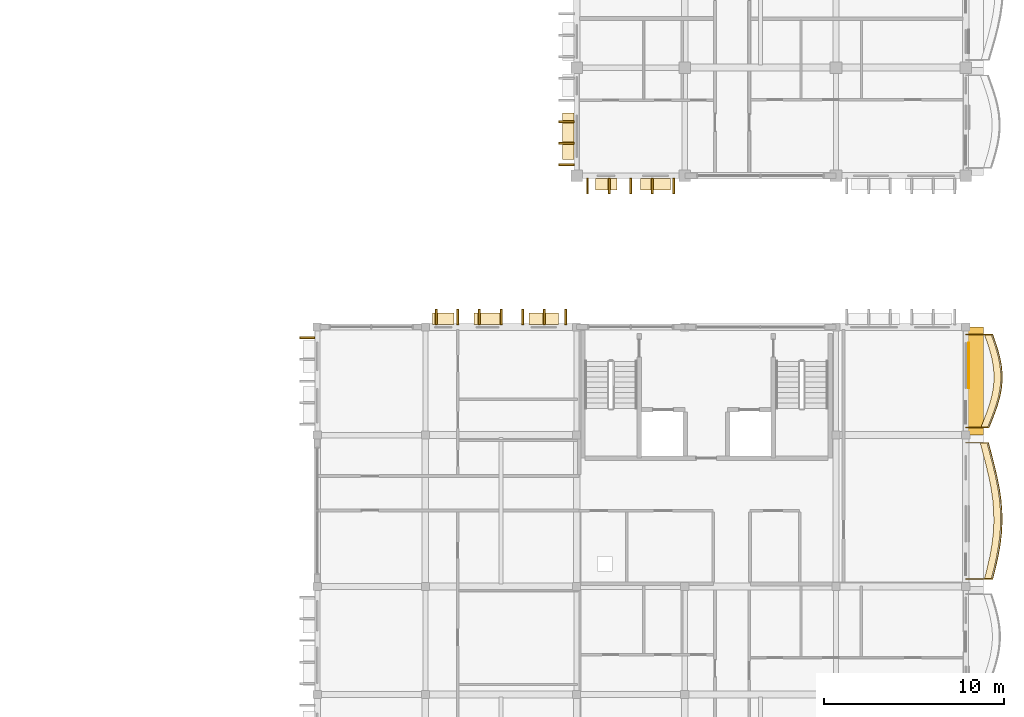
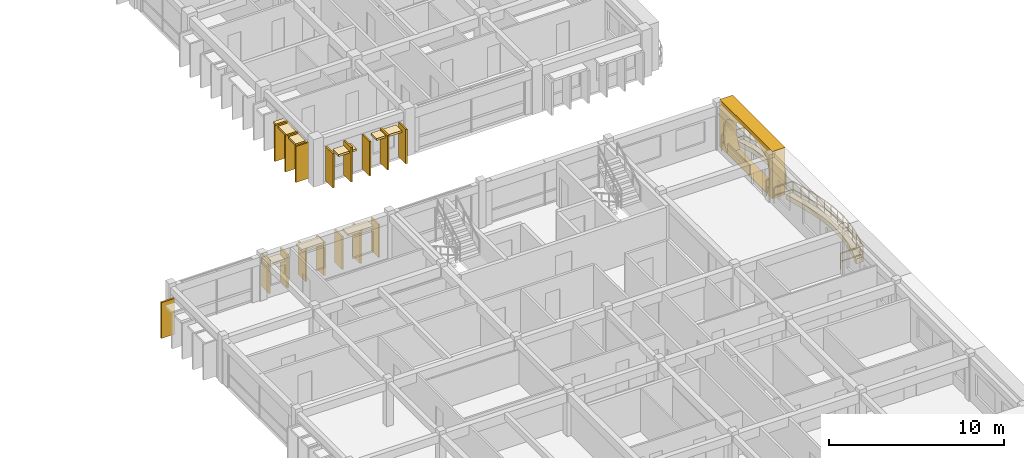
# One storey, part 70 of 76: 26 coverings, 2 railings.
"""IFC4 building model written with IfcOpenShell, lengths in metres."""

from ifc_helpers import new_model, si_unit, direction, frame, origin, origin_2d, place, context, subcontext, project, spatial, polyline, rectangle, outline, extrude, material, layer, layer_set, type_object, element, save


model = new_model("IFC4")

# Units and contexts
model_context = context("Model", 3, precision=1e-05, world=origin(), true_north=direction((0.0, 1.0)))
body_context = subcontext(model_context, "Body", "Model", "MODEL_VIEW")
ifc_project = project(units=[si_unit("LENGTHUNIT", "METRE"), si_unit("AREAUNIT", "SQUARE_METRE"), si_unit("VOLUMEUNIT", "CUBIC_METRE"), si_unit("PLANEANGLEUNIT", "RADIAN"), si_unit("MASSUNIT", "GRAM", prefix="KILO"), si_unit("THERMODYNAMICTEMPERATUREUNIT", "KELVIN")], contexts=[model_context])

# Site, building, storey
site_placement = place(None, origin())
site = spatial("IfcSite", under=ifc_project, at=site_placement, CompositionType="ELEMENT")
building_placement = place(site_placement, origin())
building = spatial("IfcBuilding", under=site, at=building_placement, Name="Thalorik Housing Commons", CompositionType="ELEMENT")
storey_placement = place(building_placement, frame((0.0, 0.0, 18.0)))
storey = spatial("IfcBuildingStorey", under=building, at=storey_placement, Name="L05", CompositionType="ELEMENT", Elevation=18.0)

# Coverings
ifc_material_1 = material(Name="Precast concrete C40/50", Category="concrete")
ifc_layer_1 = layer(ifc_material_1, 0.85009765625, Name="Precast concrete C40/50", Category="concrete")
ifc_layer_set_1 = layer_set([ifc_layer_1], Name="Precast concrete C40/50")
covering_type_1 = type_object("IfcCoveringType", Name="ARC-CLD-CUSH-850", PredefinedType="CLADDING", material=ifc_layer_set_1)
covering_1_placement = place(storey_placement, frame((174.554931640625, 69.0, 0.0), z_axis=(0.0, 0.0, 1.0), x_axis=(0.0, 1.0, 0.0)))
element("IfcCovering", 1, at=covering_1_placement, inside=storey, type_object=covering_type_1, Name="L05 White Precast Curved Cushion Bay Frame 4901", PredefinedType="CLADDING", context=body_context, shape_type="SweptSolid", body=[
    extrude(outline(polyline([(-3.0, 0.0), (3.0, 0.0), (3.0, 3.300048828125), (-3.0, 3.300048828125), (-3.0, 0.0)]), holes=[polyline([(2.1650390625, 0.02490234375), (2.37890625, 0.42431640625), (2.507080078125, 0.8232421875), (2.550048828125, 1.222412109375), (2.507080078125, 1.62158203125), (2.37890625, 2.020751953125), (2.1650390625, 2.419921875), (1.781982421875, 2.608642578125), (1.399169921875, 2.7568359375), (1.016357421875, 2.876953125), (0.63330078125, 2.96630859375), (0.25048828125, 3.021484375), (-0.132568359375, 3.0400390625), (-0.515380859375, 3.021484375), (-0.898193359375, 2.96630859375), (-1.28125, 2.876953125), (-1.664306640625, 2.7568359375), (-2.047119140625, 2.608642578125), (-2.429931640625, 2.419921875), (-2.55029296875, 2.020751953125), (-2.62255859375, 1.62158203125), (-2.646484375, 1.222412109375), (-2.62255859375, 0.8232421875), (-2.55029296875, 0.42431640625), (-2.429931640625, 0.02490234375), (2.1650390625, 0.02490234375)])]), frame((0.0, 0.425048828125, 0.0), z_axis=(0.0, -1.0, 0.0), x_axis=(1.0, 0.0, 0.0)), (0.0, 0.0, 1.0), 0.85009765625),
])
ifc_layer_2 = layer(ifc_material_1, 0.85009765625, Name="Precast concrete C40/50", Category="concrete")
ifc_layer_set_2 = layer_set([ifc_layer_2], Name="Precast concrete C40/50")
covering_type_2 = type_object("IfcCoveringType", Name="ARC-CLD-FIN-850", PredefinedType="CLADDING", material=ifc_layer_set_2)
for number, where, z_axis, x_axis, name in (
    (2, (151.830078125, 83.39990234375, 0.0400390625), (0.0, 0.0, 1.0), (0.0, -1.0, 0.0), "L05 Courtyard Precast Vertical Brise-Soleil Fin 2334"),
    (3, (151.830078125, 82.199951171875, 0.0400390625), (0.0, 0.0, 1.0), (0.0, -1.0, 0.0), "L05 Courtyard Precast Vertical Brise-Soleil Fin 2335"),
    (4, (151.830078125, 81.0, 0.0400390625), (0.0, 0.0, 1.0), (0.0, -1.0, 0.0), "L05 Courtyard Precast Vertical Brise-Soleil Fin 2336"),
):
    element("IfcCovering", number, at=place(storey_placement, frame(where, z_axis=z_axis, x_axis=x_axis)), inside=storey, type_object=covering_type_2, Name=name, PredefinedType="CLADDING", context=body_context, shape_type="SweptSolid", body=[
        extrude(rectangle(XDim=0.110107421875, YDim=0.85009765625, at=origin_2d()), origin(), (0.0, 0.0, 1.0), 2.4951171875),
    ])
for number, where, z_axis, x_axis, name in (
    (5, (153.0, 79.830078125, 0.0400390625), (0.0, 0.0, 1.0), (1.0, 0.0, 0.0), "L05 Courtyard Precast Vertical Brise-Soleil Fin 2339"),
    (6, (154.199951171875, 79.830078125, 0.0400390625), (0.0, 0.0, 1.0), (1.0, 0.0, 0.0), "L05 Courtyard Precast Vertical Brise-Soleil Fin 2340"),
    (7, (155.39990234375, 79.830078125, 0.0400390625), (0.0, 0.0, 1.0), (1.0, 0.0, 0.0), "L05 Courtyard Precast Vertical Brise-Soleil Fin 2341"),
    (8, (156.60009765625, 79.830078125, 0.0400390625), (0.0, 0.0, 1.0), (1.0, 0.0, 0.0), "L05 Courtyard Precast Vertical Brise-Soleil Fin 2342"),
    (9, (157.800048828125, 79.830078125, 0.0400390625), (0.0, 0.0, 1.0), (1.0, 0.0, 0.0), "L05 Courtyard Precast Vertical Brise-Soleil Fin 2343"),
):
    element("IfcCovering", number, at=place(storey_placement, frame(where, z_axis=z_axis, x_axis=x_axis)), inside=storey, type_object=covering_type_2, Name=name, PredefinedType="CLADDING", context=body_context, shape_type="SweptSolid", body=[
        extrude(rectangle(XDim=0.110107421875, YDim=0.85009765625, at=origin_2d()), origin(), (0.0, 0.0, 1.0), 2.39501953125),
    ])
for number, where, z_axis, x_axis, name in (
    (10, (151.800048828125, 72.554931640625, 0.0400390625), (0.0, 0.0, 1.0), (-1.0, 0.0, 0.0), "L05 Courtyard Precast Vertical Brise-Soleil Fin 4843"),
    (11, (150.60009765625, 72.554931640625, 0.0400390625), (0.0, 0.0, 1.0), (-1.0, 0.0, 0.0), "L05 Courtyard Precast Vertical Brise-Soleil Fin 4844"),
    (12, (149.39990234375, 72.554931640625, 0.0400390625), (0.0, 0.0, 1.0), (-1.0, 0.0, 0.0), "L05 Courtyard Precast Vertical Brise-Soleil Fin 4845"),
    (13, (148.199951171875, 72.554931640625, 0.0400390625), (0.0, 0.0, 1.0), (-1.0, 0.0, 0.0), "L05 Courtyard Precast Vertical Brise-Soleil Fin 4846"),
    (14, (147.0, 72.554931640625, 0.0400390625), (0.0, 0.0, 1.0), (-1.0, 0.0, 0.0), "L05 Courtyard Precast Vertical Brise-Soleil Fin 4847"),
    (15, (145.800048828125, 72.554931640625, 0.0400390625), (0.0, 0.0, 1.0), (-1.0, 0.0, 0.0), "L05 Courtyard Precast Vertical Brise-Soleil Fin 4848"),
    (16, (144.60009765625, 72.554931640625, 0.0400390625), (0.0, 0.0, 1.0), (-1.0, 0.0, 0.0), "L05 Courtyard Precast Vertical Brise-Soleil Fin 4849"),
):
    element("IfcCovering", number, at=place(storey_placement, frame(where, z_axis=z_axis, x_axis=x_axis)), inside=storey, type_object=covering_type_2, Name=name, PredefinedType="CLADDING", context=body_context, shape_type="SweptSolid", body=[
        extrude(rectangle(XDim=0.110107421875, YDim=0.85009765625, at=origin_2d()), origin(), (0.0, 0.0, 1.0), 2.294921875),
    ])
covering_2_placement = place(storey_placement, frame((137.445068359375, 71.39990234375, 0.0400390625), z_axis=(0.0, 0.0, 1.0), x_axis=(0.0, -1.0, 0.0)))
element("IfcCovering", 17, at=covering_2_placement, inside=storey, type_object=covering_type_2, Name="L05 Courtyard Precast Vertical Brise-Soleil Fin 4853", PredefinedType="CLADDING", context=body_context, shape_type="SweptSolid", body=[
    extrude(rectangle(XDim=0.110107421875, YDim=0.85009765625, at=origin_2d()), origin(), (0.0, 0.0, 1.0), 2.4951171875),
])
ifc_layer_3 = layer(ifc_material_1, 0.64990234375, Name="Precast concrete C40/50", Category="concrete")
ifc_layer_set_3 = layer_set([ifc_layer_3], Name="Precast concrete C40/50")
covering_type_3 = type_object("IfcCoveringType", Name="ARC-CLD-HOOD-650", PredefinedType="CLADDING", material=ifc_layer_set_3)
covering_3_placement = place(storey_placement, frame((151.929931640625, 82.590087890625, 2.2900390625), z_axis=(0.0, 0.0, 1.0), x_axis=(0.0, -1.0, 0.0)))
element("IfcCovering", 18, at=covering_3_placement, inside=storey, type_object=covering_type_3, Name="L05 Courtyard Precast Window Sun-Hood 2338", PredefinedType="CLADDING", context=body_context, shape_type="SweptSolid", body=[
    extrude(rectangle(XDim=2.56005859375, YDim=0.64990234375, at=origin_2d()), origin(), (0.0, 0.0, 1.0), 0.139892578125),
])
covering_4_placement = place(storey_placement, frame((154.030029296875, 79.929931640625, 1.93994140625), z_axis=(0.0, 0.0, 1.0), x_axis=(1.0, 0.0, 0.0)))
element("IfcCovering", 19, at=covering_4_placement, inside=storey, type_object=covering_type_3, Name="L05 Courtyard Precast Window Sun-Hood 2344", PredefinedType="CLADDING", context=body_context, shape_type="SweptSolid", body=[
    extrude(rectangle(XDim=1.18994140625, YDim=0.64990234375, at=origin_2d()), origin(), (0.0, 0.0, 1.0), 0.139892578125),
])
covering_5_placement = place(storey_placement, frame((156.77001953125, 79.929931640625, 2.169921875), z_axis=(0.0, 0.0, 1.0), x_axis=(1.0, 0.0, 0.0)))
element("IfcCovering", 20, at=covering_5_placement, inside=storey, type_object=covering_type_3, Name="L05 Courtyard Precast Window Sun-Hood 2345", PredefinedType="CLADDING", context=body_context, shape_type="SweptSolid", body=[
    extrude(rectangle(XDim=1.659912109375, YDim=0.64990234375, at=origin_2d()), origin(), (0.0, 0.0, 1.0), 0.139892578125),
])
covering_6_placement = place(storey_placement, frame((150.5751953125, 72.455078125, 2.22509765625), z_axis=(0.0, 0.0, 1.0), x_axis=(-1.0, 0.0, 0.0)))
element("IfcCovering", 21, at=covering_6_placement, inside=storey, type_object=covering_type_3, Name="L05 Courtyard Precast Window Sun-Hood 4850", PredefinedType="CLADDING", context=body_context, shape_type="SweptSolid", body=[
    extrude(rectangle(XDim=1.639892578125, YDim=0.64990234375, at=origin_2d()), origin(), (0.0, 0.0, 1.0), 0.139892578125),
])
covering_7_placement = place(storey_placement, frame((147.4453125, 72.455078125, 2.22509765625), z_axis=(0.0, 0.0, 1.0), x_axis=(-1.0, 0.0, 0.0)))
element("IfcCovering", 22, at=covering_7_placement, inside=storey, type_object=covering_type_3, Name="L05 Courtyard Precast Window Sun-Hood 4851", PredefinedType="CLADDING", context=body_context, shape_type="SweptSolid", body=[
    extrude(rectangle(XDim=1.489990234375, YDim=0.64990234375, at=origin_2d()), origin(), (0.0, 0.0, 1.0), 0.139892578125),
])
covering_8_placement = place(storey_placement, frame((145.000244140625, 72.455078125, 1.93994140625), z_axis=(0.0, 0.0, 1.0), x_axis=(-1.0, 0.0, 0.0)))
element("IfcCovering", 23, at=covering_8_placement, inside=storey, type_object=covering_type_3, Name="L05 Courtyard Precast Window Sun-Hood 4852", PredefinedType="CLADDING", context=body_context, shape_type="SweptSolid", body=[
    extrude(rectangle(XDim=1.18994140625, YDim=0.64990234375, at=origin_2d()), origin(), (0.0, 0.0, 1.0), 0.139892578125),
])
ifc_material_2 = material(Name="Terracotta red mineral fibre-cement panel", Category="masonry")
ifc_layer_4 = layer(ifc_material_2, 0.054931640625, Name="Terracotta red mineral fibre-cement panel", Category="masonry")
ifc_layer_set_4 = layer_set([ifc_layer_4], Name="Terracotta red mineral fibre-cement panel")
covering_type_4 = type_object("IfcCoveringType", Name="ARC-CLD-RED-55", PredefinedType="CLADDING", material=ifc_layer_set_4)
covering_9_placement = place(storey_placement, frame((174.16259765625, 69.864990234375, 0.0498046875), z_axis=(0.0, 0.0, 1.0), x_axis=(0.0, 1.0, 0.0)))
element("IfcCovering", 24, at=covering_9_placement, inside=storey, type_object=covering_type_4, Name="L05 De Stijl Recessed Window Spandrel 4902", PredefinedType="CLADDING", context=body_context, shape_type="SweptSolid", body=[
    extrude(rectangle(XDim=2.5, YDim=0.054931640625, at=origin_2d()), origin(), (0.0, 0.0, 1.0), 0.699951171875),
])
ifc_material_3 = material(Name="Planted vegetated substrate and terracotta trough", Category="masonry")
ifc_layer_5 = layer(ifc_material_3, 0.340087890625, Name="Planted vegetated substrate and terracotta trough", Category="masonry")
ifc_layer_set_5 = layer_set([ifc_layer_5], Name="Planted vegetated substrate and terracotta trough")
covering_type_5 = type_object("IfcCoveringType", Name="ARC-COV-PLANTER", PredefinedType="USERDEFINED", material=ifc_layer_set_5)
covering_10_placement = place(storey_placement, origin())
element("IfcCovering", 25, at=covering_10_placement, inside=storey, type_object=covering_type_5, Name="L05 Balcony Slab-Edge Planted Trough 5678", ObjectType="PLANTER", PredefinedType="USERDEFINED", context=body_context, shape_type="SweptSolid", body=[
    extrude(outline(polyline([(175.415283203125, 58.02001953125), (175.576171875, 58.64990234375), (175.71728515625, 59.280029296875), (175.828857421875, 59.909912109375), (175.90380859375, 60.5400390625), (175.93701171875, 61.169921875), (175.926513671875, 61.800048828125), (175.873046875, 62.429931640625), (175.780517578125, 63.06005859375), (175.65576171875, 63.68994140625), (175.5068359375, 64.320068359375), (175.3447265625, 64.949951171875), (175.18017578125, 65.580078125), (174.80029296875, 65.580078125), (174.964599609375, 64.949951171875), (175.126953125, 64.320068359375), (175.275634765625, 63.68994140625), (175.400634765625, 63.06005859375), (175.4931640625, 62.429931640625), (175.54638671875, 61.800048828125), (175.55712890625, 61.169921875), (175.52392578125, 60.5400390625), (175.448974609375, 59.909912109375), (175.337158203125, 59.280029296875), (175.196044921875, 58.64990234375), (175.035400390625, 58.02001953125), (175.415283203125, 58.02001953125)])), origin(), (0.0, 0.0, 1.0), 0.340087890625),
])
covering_11_placement = place(storey_placement, origin())
element("IfcCovering", 26, at=covering_11_placement, inside=storey, type_object=covering_type_5, Name="L05 Balcony Slab-Edge Planted Trough 5679", ObjectType="PLANTER", PredefinedType="USERDEFINED", context=body_context, shape_type="SweptSolid", body=[
    extrude(outline(polyline([(175.20849609375, 66.419921875), (175.3828125, 66.85009765625), (175.549072265625, 67.280029296875), (175.696533203125, 67.7099609375), (175.8154296875, 68.139892578125), (175.89892578125, 68.570068359375), (175.94189453125, 69.0), (175.94189453125, 69.429931640625), (175.89990234375, 69.860107421875), (175.819091796875, 70.2900390625), (175.705810546875, 70.719970703125), (175.568359375, 71.14990234375), (175.416015625, 71.580078125), (175.035888671875, 71.580078125), (175.188232421875, 71.14990234375), (175.325927734375, 70.719970703125), (175.439208984375, 70.2900390625), (175.519775390625, 69.860107421875), (175.561767578125, 69.429931640625), (175.561767578125, 69.0), (175.51904296875, 68.570068359375), (175.435546875, 68.139892578125), (175.31640625, 67.7099609375), (175.169189453125, 67.280029296875), (175.0029296875, 66.85009765625), (174.82861328125, 66.419921875), (175.20849609375, 66.419921875)])), origin(), (0.0, 0.0, 1.0), 0.340087890625),
])

# Railings
ifc_material_4 = material(Name="Steel S355", Category="steel")
railing_type_1 = type_object("IfcRailingType", Name="ARC-RL-BAL-112", PredefinedType="BALUSTRADE", material=ifc_material_4)
railing_1_placement = place(storey_placement, frame((174.0, 58.02001953125, 0.0)))
element("IfcRailing", 27, at=railing_1_placement, inside=storey, type_object=railing_type_1, Name="L05 Cushion Balcony Guardrail 362", PredefinedType="BALUSTRADE", context=body_context, shape_type="SweptSolid", body=[
    extrude(rectangle(XDim=0.050048828125, YDim=0.050048828125, at=origin_2d()), frame((0.0, 0.0, 1.09521484375), z_axis=(1.0, 0.0, 0.0), x_axis=(0.0, 1.0, 0.0)), (0.0, 0.0, 1.0), 1.4853515625),
    extrude(rectangle(XDim=0.050048828125, YDim=0.050048828125, at=origin_2d()), frame((0.0, 0.0, 0.53515625), z_axis=(1.0, 0.0, 0.0), x_axis=(0.0, 1.0, 0.0)), (0.0, 0.0, 1.0), 1.4853515625),
    extrude(rectangle(XDim=0.050048828125, YDim=0.050048828125, at=origin_2d()), frame((1.4853515625, 0.0, 1.09521484375), z_axis=(0.247128171494, 0.968982800082, 0.0), x_axis=(-0.968982800082, 0.247128171494, 0.0)), (0.0, 0.0, 1.0), 0.650146484375),
    extrude(rectangle(XDim=0.050048828125, YDim=0.050048828125, at=origin_2d()), frame((1.4853515625, 0.0, 0.53515625), z_axis=(0.247128171494, 0.968982800082, 0.0), x_axis=(-0.968982800082, 0.247128171494, 0.0)), (0.0, 0.0, 1.0), 0.650146484375),
    extrude(rectangle(XDim=0.050048828125, YDim=0.050048828125, at=origin_2d()), frame((1.64599609375, 0.6298828125, 1.09521484375), z_axis=(0.218531454868, 0.975829904867, 0.0), x_axis=(-0.975829904867, 0.218531454868, 0.0)), (0.0, 0.0, 1.0), 0.645751953125),
    extrude(rectangle(XDim=0.050048828125, YDim=0.050048828125, at=origin_2d()), frame((1.64599609375, 0.6298828125, 0.53515625), z_axis=(0.218531454868, 0.975829904867, 0.0), x_axis=(-0.975829904867, 0.218531454868, 0.0)), (0.0, 0.0, 1.0), 0.645751953125),
    extrude(rectangle(XDim=0.050048828125, YDim=0.050048828125, at=origin_2d()), frame((1.787109375, 1.260009765625, 1.09521484375), z_axis=(0.174786703576, 0.984606321457, 0.0), x_axis=(-0.984606321457, 0.174786703576, 0.0)), (0.0, 0.0, 1.0), 0.6396484375),
    extrude(rectangle(XDim=0.050048828125, YDim=0.050048828125, at=origin_2d()), frame((1.787109375, 1.260009765625, 0.53515625), z_axis=(0.174786703576, 0.984606321457, 0.0), x_axis=(-0.984606321457, 0.174786703576, 0.0)), (0.0, 0.0, 1.0), 0.6396484375),
    extrude(rectangle(XDim=0.050048828125, YDim=0.050048828125, at=origin_2d()), frame((1.89892578125, 1.889892578125, 1.09521484375), z_axis=(0.118113533463, 0.993000097287, 0.0), x_axis=(-0.993000097287, 0.118113533463, 0.0)), (0.0, 0.0, 1.0), 0.634521484375),
    extrude(rectangle(XDim=0.050048828125, YDim=0.050048828125, at=origin_2d()), frame((1.89892578125, 1.889892578125, 0.53515625), z_axis=(0.118113533463, 0.993000097287, 0.0), x_axis=(-0.993000097287, 0.118113533463, 0.0)), (0.0, 0.0, 1.0), 0.634521484375),
    extrude(rectangle(XDim=0.050048828125, YDim=0.050048828125, at=origin_2d()), frame((1.973876953125, 2.52001953125, 1.09521484375), z_axis=(0.052640094062, 0.998613549126, 0.0), x_axis=(-0.998613549126, 0.052640094062, 0.0)), (0.0, 0.0, 1.0), 0.630859375),
    extrude(rectangle(XDim=0.050048828125, YDim=0.050048828125, at=origin_2d()), frame((1.973876953125, 2.52001953125, 0.53515625), z_axis=(0.052640094062, 0.998613549126, 0.0), x_axis=(-0.998613549126, 0.052640094062, 0.0)), (0.0, 0.0, 1.0), 0.630859375),
    extrude(rectangle(XDim=0.050048828125, YDim=0.050048828125, at=origin_2d()), frame((2.007080078125, 3.14990234375, 1.09521484375), z_axis=(-0.016657897577, 0.999861247598, 0.0), x_axis=(-0.999861247598, -0.016657897577, 0.0)), (0.0, 0.0, 1.0), 0.630126953125),
    extrude(rectangle(XDim=0.050048828125, YDim=0.050048828125, at=origin_2d()), frame((2.007080078125, 3.14990234375, 0.53515625), z_axis=(-0.016657897577, 0.999861247598, 0.0), x_axis=(-0.999861247598, -0.016657897577, 0.0)), (0.0, 0.0, 1.0), 0.630126953125),
    extrude(rectangle(XDim=0.050048828125, YDim=0.050048828125, at=origin_2d()), frame((1.99658203125, 3.780029296875, 1.09521484375), z_axis=(-0.084579559566, 0.996416729137, 0.0), x_axis=(-0.996416729137, -0.084579559566, 0.0)), (0.0, 0.0, 1.0), 0.632080078125),
    extrude(rectangle(XDim=0.050048828125, YDim=0.050048828125, at=origin_2d()), frame((1.99658203125, 3.780029296875, 0.53515625), z_axis=(-0.084579559566, 0.996416729137, 0.0), x_axis=(-0.996416729137, -0.084579559566, 0.0)), (0.0, 0.0, 1.0), 0.632080078125),
    extrude(rectangle(XDim=0.050048828125, YDim=0.050048828125, at=origin_2d()), frame((1.943115234375, 4.409912109375, 1.09521484375), z_axis=(-0.145284304764, 0.989389948801, 0.0), x_axis=(-0.989389948801, -0.145284304764, 0.0)), (0.0, 0.0, 1.0), 0.636962890625),
    extrude(rectangle(XDim=0.050048828125, YDim=0.050048828125, at=origin_2d()), frame((1.943115234375, 4.409912109375, 0.53515625), z_axis=(-0.145284304764, 0.989389948801, 0.0), x_axis=(-0.989389948801, -0.145284304764, 0.0)), (0.0, 0.0, 1.0), 0.636962890625),
    extrude(rectangle(XDim=0.050048828125, YDim=0.050048828125, at=origin_2d()), frame((1.8505859375, 5.0400390625, 1.09521484375), z_axis=(-0.194653674939, 0.980872033872, 0.0), x_axis=(-0.980872033872, -0.194653674939, 0.0)), (0.0, 0.0, 1.0), 0.64208984375),
    extrude(rectangle(XDim=0.050048828125, YDim=0.050048828125, at=origin_2d()), frame((1.8505859375, 5.0400390625, 0.53515625), z_axis=(-0.194653674939, 0.980872033872, 0.0), x_axis=(-0.980872033872, -0.194653674939, 0.0)), (0.0, 0.0, 1.0), 0.64208984375),
    extrude(rectangle(XDim=0.050048828125, YDim=0.050048828125, at=origin_2d()), frame((1.7255859375, 5.669921875, 1.09521484375), z_axis=(-0.2296488173, 0.973273559033, 0.0), x_axis=(-0.973273559033, -0.2296488173, 0.0)), (0.0, 0.0, 1.0), 0.6474609375),
    extrude(rectangle(XDim=0.050048828125, YDim=0.050048828125, at=origin_2d()), frame((1.7255859375, 5.669921875, 0.53515625), z_axis=(-0.2296488173, 0.973273559033, 0.0), x_axis=(-0.973273559033, -0.2296488173, 0.0)), (0.0, 0.0, 1.0), 0.6474609375),
    extrude(rectangle(XDim=0.050048828125, YDim=0.050048828125, at=origin_2d()), frame((1.576904296875, 6.300048828125, 1.09521484375), z_axis=(-0.24924222537, 0.968441176888, 0.0), x_axis=(-0.968441176888, -0.24924222537, 0.0)), (0.0, 0.0, 1.0), 0.650390625),
    extrude(rectangle(XDim=0.050048828125, YDim=0.050048828125, at=origin_2d()), frame((1.576904296875, 6.300048828125, 0.53515625), z_axis=(-0.24924222537, 0.968441176888, 0.0), x_axis=(-0.968441176888, -0.24924222537, 0.0)), (0.0, 0.0, 1.0), 0.650390625),
    extrude(rectangle(XDim=0.050048828125, YDim=0.050048828125, at=origin_2d()), frame((1.414794921875, 6.929931640625, 1.09521484375), z_axis=(-0.252666055778, 0.967553545938, 0.0), x_axis=(-0.967553545938, -0.252666055778, 0.0)), (0.0, 0.0, 1.0), 0.6513671875),
    extrude(rectangle(XDim=0.050048828125, YDim=0.050048828125, at=origin_2d()), frame((1.414794921875, 6.929931640625, 0.53515625), z_axis=(-0.252666055778, 0.967553545938, 0.0), x_axis=(-0.967553545938, -0.252666055778, 0.0)), (0.0, 0.0, 1.0), 0.6513671875),
    extrude(rectangle(XDim=0.050048828125, YDim=0.050048828125, at=origin_2d()), frame((1.250244140625, 7.56005859375, 1.09521484375), z_axis=(-1.0, 0.0, 0.0), x_axis=(0.0, -1.0, 0.0)), (0.0, 0.0, 1.0), 1.250244140625),
    extrude(rectangle(XDim=0.050048828125, YDim=0.050048828125, at=origin_2d()), frame((1.250244140625, 7.56005859375, 0.53515625), z_axis=(-1.0, 0.0, 0.0), x_axis=(0.0, -1.0, 0.0)), (0.0, 0.0, 1.0), 1.250244140625),
    extrude(rectangle(XDim=0.0419921875, YDim=0.0419921875, at=origin_2d()), origin(), (0.0, 0.0, 1.0), 1.070068359375),
    extrude(rectangle(XDim=0.0419921875, YDim=0.0419921875, at=origin_2d()), frame((1.4853515625, 0.0, 0.0)), (0.0, 0.0, 1.0), 1.070068359375),
    extrude(rectangle(XDim=0.0419921875, YDim=0.0419921875, at=origin_2d()), frame((1.64599609375, 0.6298828125, 0.0)), (0.0, 0.0, 1.0), 1.070068359375),
    extrude(rectangle(XDim=0.0419921875, YDim=0.0419921875, at=origin_2d()), frame((1.787109375, 1.260009765625, 0.0)), (0.0, 0.0, 1.0), 1.070068359375),
    extrude(rectangle(XDim=0.0419921875, YDim=0.0419921875, at=origin_2d()), frame((1.89892578125, 1.889892578125, 0.0)), (0.0, 0.0, 1.0), 1.070068359375),
    extrude(rectangle(XDim=0.0419921875, YDim=0.0419921875, at=origin_2d()), frame((1.973876953125, 2.52001953125, 0.0)), (0.0, 0.0, 1.0), 1.070068359375),
    extrude(rectangle(XDim=0.0419921875, YDim=0.0419921875, at=origin_2d()), frame((2.007080078125, 3.14990234375, 0.0)), (0.0, 0.0, 1.0), 1.070068359375),
    extrude(rectangle(XDim=0.0419921875, YDim=0.0419921875, at=origin_2d()), frame((1.99658203125, 3.780029296875, 0.0)), (0.0, 0.0, 1.0), 1.070068359375),
    extrude(rectangle(XDim=0.0419921875, YDim=0.0419921875, at=origin_2d()), frame((1.943115234375, 4.409912109375, 0.0)), (0.0, 0.0, 1.0), 1.070068359375),
    extrude(rectangle(XDim=0.0419921875, YDim=0.0419921875, at=origin_2d()), frame((1.8505859375, 5.0400390625, 0.0)), (0.0, 0.0, 1.0), 1.070068359375),
    extrude(rectangle(XDim=0.0419921875, YDim=0.0419921875, at=origin_2d()), frame((1.7255859375, 5.669921875, 0.0)), (0.0, 0.0, 1.0), 1.070068359375),
    extrude(rectangle(XDim=0.0419921875, YDim=0.0419921875, at=origin_2d()), frame((1.576904296875, 6.300048828125, 0.0)), (0.0, 0.0, 1.0), 1.070068359375),
    extrude(rectangle(XDim=0.0419921875, YDim=0.0419921875, at=origin_2d()), frame((1.414794921875, 6.929931640625, 0.0)), (0.0, 0.0, 1.0), 1.070068359375),
    extrude(rectangle(XDim=0.0419921875, YDim=0.0419921875, at=origin_2d()), frame((1.250244140625, 7.56005859375, 0.0)), (0.0, 0.0, 1.0), 1.070068359375),
    extrude(rectangle(XDim=0.0419921875, YDim=0.0419921875, at=origin_2d()), frame((0.0, 7.56005859375, 0.0)), (0.0, 0.0, 1.0), 1.070068359375),
])
railing_type_2 = type_object("IfcRailingType", Name="ARC-RL-BAL-115", PredefinedType="BALUSTRADE", material=ifc_material_4)
railing_2_placement = place(storey_placement, frame((174.0, 66.419921875, 0.0)))
element("IfcRailing", 28, at=railing_2_placement, inside=storey, type_object=railing_type_2, Name="L05 Cushion Balcony Guardrail 363", PredefinedType="BALUSTRADE", context=body_context, shape_type="SweptSolid", body=[
    extrude(rectangle(XDim=0.050048828125, YDim=0.050048828125, at=origin_2d()), frame((0.0, 0.0, 1.125), z_axis=(1.0, 0.0, 0.0), x_axis=(0.0, 1.0, 0.0)), (0.0, 0.0, 1.0), 1.278564453125),
    extrude(rectangle(XDim=0.050048828125, YDim=0.050048828125, at=origin_2d()), frame((0.0, 0.0, 0.5498046875), z_axis=(1.0, 0.0, 0.0), x_axis=(0.0, 1.0, 0.0)), (0.0, 0.0, 1.0), 1.278564453125),
    extrude(rectangle(XDim=0.050048828125, YDim=0.050048828125, at=origin_2d()), frame((1.278564453125, 0.0, 1.125), z_axis=(0.375558591725, 0.926798653528, 0.0), x_axis=(-0.926798653528, 0.375558591725, 0.0)), (0.0, 0.0, 1.0), 0.464111328125),
    extrude(rectangle(XDim=0.050048828125, YDim=0.050048828125, at=origin_2d()), frame((1.278564453125, 0.0, 0.5498046875), z_axis=(0.375558591725, 0.926798653528, 0.0), x_axis=(-0.926798653528, 0.375558591725, 0.0)), (0.0, 0.0, 1.0), 0.464111328125),
    extrude(rectangle(XDim=0.050048828125, YDim=0.050048828125, at=origin_2d()), frame((1.452880859375, 0.43017578125, 1.125), z_axis=(0.360682052509, 0.932688831818, 0.0), x_axis=(-0.932688831818, 0.360682052509, 0.0)), (0.0, 0.0, 1.0), 0.4609375),
    extrude(rectangle(XDim=0.050048828125, YDim=0.050048828125, at=origin_2d()), frame((1.452880859375, 0.43017578125, 0.5498046875), z_axis=(0.360682052509, 0.932688831818, 0.0), x_axis=(-0.932688831818, 0.360682052509, 0.0)), (0.0, 0.0, 1.0), 0.4609375),
    extrude(rectangle(XDim=0.050048828125, YDim=0.050048828125, at=origin_2d()), frame((1.619140625, 0.860107421875, 1.125), z_axis=(0.324434183315, 0.945908272877, 0.0), x_axis=(-0.945908272877, 0.324434183315, 0.0)), (0.0, 0.0, 1.0), 0.45458984375),
    extrude(rectangle(XDim=0.050048828125, YDim=0.050048828125, at=origin_2d()), frame((1.619140625, 0.860107421875, 0.5498046875), z_axis=(0.324434183315, 0.945908272877, 0.0), x_axis=(-0.945908272877, 0.324434183315, 0.0)), (0.0, 0.0, 1.0), 0.45458984375),
    extrude(rectangle(XDim=0.050048828125, YDim=0.050048828125, at=origin_2d()), frame((1.7666015625, 1.2900390625, 1.125), z_axis=(0.266542784561, 0.9638230875, 0.0), x_axis=(-0.9638230875, 0.266542784561, 0.0)), (0.0, 0.0, 1.0), 0.446044921875),
    extrude(rectangle(XDim=0.050048828125, YDim=0.050048828125, at=origin_2d()), frame((1.7666015625, 1.2900390625, 0.5498046875), z_axis=(0.266542784561, 0.9638230875, 0.0), x_axis=(-0.9638230875, 0.266542784561, 0.0)), (0.0, 0.0, 1.0), 0.446044921875),
    extrude(rectangle(XDim=0.050048828125, YDim=0.050048828125, at=origin_2d()), frame((1.885498046875, 1.719970703125, 1.125), z_axis=(0.190541578419, 0.981679126239, 0.0), x_axis=(-0.981679126239, 0.190541578419, 0.0)), (0.0, 0.0, 1.0), 0.438232421875),
    extrude(rectangle(XDim=0.050048828125, YDim=0.050048828125, at=origin_2d()), frame((1.885498046875, 1.719970703125, 0.5498046875), z_axis=(0.190541578419, 0.981679126239, 0.0), x_axis=(-0.981679126239, 0.190541578419, 0.0)), (0.0, 0.0, 1.0), 0.438232421875),
    extrude(rectangle(XDim=0.050048828125, YDim=0.050048828125, at=origin_2d()), frame((1.968994140625, 2.150146484375, 1.125), z_axis=(0.098888270863, 0.995098542801, 0.0), x_axis=(-0.995098542801, 0.098888270863, 0.0)), (0.0, 0.0, 1.0), 0.43212890625),
    extrude(rectangle(XDim=0.050048828125, YDim=0.050048828125, at=origin_2d()), frame((1.968994140625, 2.150146484375, 0.5498046875), z_axis=(0.098888270863, 0.995098542801, 0.0), x_axis=(-0.995098542801, 0.098888270863, 0.0)), (0.0, 0.0, 1.0), 0.43212890625),
    extrude(rectangle(XDim=0.050048828125, YDim=0.050048828125, at=origin_2d()), frame((2.01171875, 2.580078125, 1.125), z_axis=(0.0, 1.0, 0.0), x_axis=(-1.0, 0.0, 0.0)), (0.0, 0.0, 1.0), 0.429931640625),
    extrude(rectangle(XDim=0.050048828125, YDim=0.050048828125, at=origin_2d()), frame((2.01171875, 2.580078125, 0.5498046875), z_axis=(0.0, 1.0, 0.0), x_axis=(-1.0, 0.0, 0.0)), (0.0, 0.0, 1.0), 0.429931640625),
    extrude(rectangle(XDim=0.050048828125, YDim=0.050048828125, at=origin_2d()), frame((2.01171875, 3.010009765625, 1.125), z_axis=(-0.09715455208, 0.995269306776, 0.0), x_axis=(-0.995269306776, -0.09715455208, 0.0)), (0.0, 0.0, 1.0), 0.43212890625),
    extrude(rectangle(XDim=0.050048828125, YDim=0.050048828125, at=origin_2d()), frame((2.01171875, 3.010009765625, 0.5498046875), z_axis=(-0.09715455208, 0.995269306776, 0.0), x_axis=(-0.995269306776, -0.09715455208, 0.0)), (0.0, 0.0, 1.0), 0.43212890625),
    extrude(rectangle(XDim=0.050048828125, YDim=0.050048828125, at=origin_2d()), frame((1.9697265625, 3.440185546875, 1.125), z_axis=(-0.18418743634, 0.98289113756, 0.0), x_axis=(-0.98289113756, -0.18418743634, 0.0)), (0.0, 0.0, 1.0), 0.4375),
    extrude(rectangle(XDim=0.050048828125, YDim=0.050048828125, at=origin_2d()), frame((1.9697265625, 3.440185546875, 0.5498046875), z_axis=(-0.18418743634, 0.98289113756, 0.0), x_axis=(-0.98289113756, -0.18418743634, 0.0)), (0.0, 0.0, 1.0), 0.4375),
    extrude(rectangle(XDim=0.050048828125, YDim=0.050048828125, at=origin_2d()), frame((1.88916015625, 3.8701171875, 1.125), z_axis=(-0.254790607451, 0.9669962494, 0.0), x_axis=(-0.9669962494, -0.254790607451, 0.0)), (0.0, 0.0, 1.0), 0.444580078125),
    extrude(rectangle(XDim=0.050048828125, YDim=0.050048828125, at=origin_2d()), frame((1.88916015625, 3.8701171875, 0.5498046875), z_axis=(-0.254790607451, 0.9669962494, 0.0), x_axis=(-0.9669962494, -0.254790607451, 0.0)), (0.0, 0.0, 1.0), 0.444580078125),
    extrude(rectangle(XDim=0.050048828125, YDim=0.050048828125, at=origin_2d()), frame((1.77587890625, 4.300048828125, 1.125), z_axis=(-0.305011189479, 0.95234876715, 0.0), x_axis=(-0.95234876715, -0.305011189479, 0.0)), (0.0, 0.0, 1.0), 0.451416015625),
    extrude(rectangle(XDim=0.050048828125, YDim=0.050048828125, at=origin_2d()), frame((1.77587890625, 4.300048828125, 0.5498046875), z_axis=(-0.305011189479, 0.95234876715, 0.0), x_axis=(-0.95234876715, -0.305011189479, 0.0)), (0.0, 0.0, 1.0), 0.451416015625),
    extrude(rectangle(XDim=0.050048828125, YDim=0.050048828125, at=origin_2d()), frame((1.63818359375, 4.72998046875, 1.125), z_axis=(-0.333351847239, 0.942802495723, 0.0), x_axis=(-0.942802495723, -0.333351847239, 0.0)), (0.0, 0.0, 1.0), 0.456298828125),
    extrude(rectangle(XDim=0.050048828125, YDim=0.050048828125, at=origin_2d()), frame((1.63818359375, 4.72998046875, 0.5498046875), z_axis=(-0.333351847239, 0.942802495723, 0.0), x_axis=(-0.942802495723, -0.333351847239, 0.0)), (0.0, 0.0, 1.0), 0.456298828125),
    extrude(rectangle(XDim=0.050048828125, YDim=0.050048828125, at=origin_2d()), frame((1.486083984375, 5.16015625, 1.125), z_axis=(-1.0, 0.0, 0.0), x_axis=(0.0, -1.0, 0.0)), (0.0, 0.0, 1.0), 1.486083984375),
    extrude(rectangle(XDim=0.050048828125, YDim=0.050048828125, at=origin_2d()), frame((1.486083984375, 5.16015625, 0.5498046875), z_axis=(-1.0, 0.0, 0.0), x_axis=(0.0, -1.0, 0.0)), (0.0, 0.0, 1.0), 1.486083984375),
    extrude(rectangle(XDim=0.0419921875, YDim=0.0419921875, at=origin_2d()), origin(), (0.0, 0.0, 1.0), 1.099853515625),
    extrude(rectangle(XDim=0.0419921875, YDim=0.0419921875, at=origin_2d()), frame((1.278564453125, 0.0, 0.0)), (0.0, 0.0, 1.0), 1.099853515625),
    extrude(rectangle(XDim=0.0419921875, YDim=0.0419921875, at=origin_2d()), frame((1.452880859375, 0.43017578125, 0.0)), (0.0, 0.0, 1.0), 1.099853515625),
    extrude(rectangle(XDim=0.0419921875, YDim=0.0419921875, at=origin_2d()), frame((1.619140625, 0.860107421875, 0.0)), (0.0, 0.0, 1.0), 1.099853515625),
    extrude(rectangle(XDim=0.0419921875, YDim=0.0419921875, at=origin_2d()), frame((1.7666015625, 1.2900390625, 0.0)), (0.0, 0.0, 1.0), 1.099853515625),
    extrude(rectangle(XDim=0.0419921875, YDim=0.0419921875, at=origin_2d()), frame((1.885498046875, 1.719970703125, 0.0)), (0.0, 0.0, 1.0), 1.099853515625),
    extrude(rectangle(XDim=0.0419921875, YDim=0.0419921875, at=origin_2d()), frame((1.968994140625, 2.150146484375, 0.0)), (0.0, 0.0, 1.0), 1.099853515625),
    extrude(rectangle(XDim=0.0419921875, YDim=0.0419921875, at=origin_2d()), frame((2.01171875, 2.580078125, 0.0)), (0.0, 0.0, 1.0), 1.099853515625),
    extrude(rectangle(XDim=0.0419921875, YDim=0.0419921875, at=origin_2d()), frame((2.01171875, 3.010009765625, 0.0)), (0.0, 0.0, 1.0), 1.099853515625),
    extrude(rectangle(XDim=0.0419921875, YDim=0.0419921875, at=origin_2d()), frame((1.9697265625, 3.440185546875, 0.0)), (0.0, 0.0, 1.0), 1.099853515625),
    extrude(rectangle(XDim=0.0419921875, YDim=0.0419921875, at=origin_2d()), frame((1.88916015625, 3.8701171875, 0.0)), (0.0, 0.0, 1.0), 1.099853515625),
    extrude(rectangle(XDim=0.0419921875, YDim=0.0419921875, at=origin_2d()), frame((1.77587890625, 4.300048828125, 0.0)), (0.0, 0.0, 1.0), 1.099853515625),
    extrude(rectangle(XDim=0.0419921875, YDim=0.0419921875, at=origin_2d()), frame((1.63818359375, 4.72998046875, 0.0)), (0.0, 0.0, 1.0), 1.099853515625),
    extrude(rectangle(XDim=0.0419921875, YDim=0.0419921875, at=origin_2d()), frame((1.486083984375, 5.16015625, 0.0)), (0.0, 0.0, 1.0), 1.099853515625),
    extrude(rectangle(XDim=0.0419921875, YDim=0.0419921875, at=origin_2d()), frame((0.0, 5.16015625, 0.0)), (0.0, 0.0, 1.0), 1.099853515625),
])

save(model, "model.ifc")
